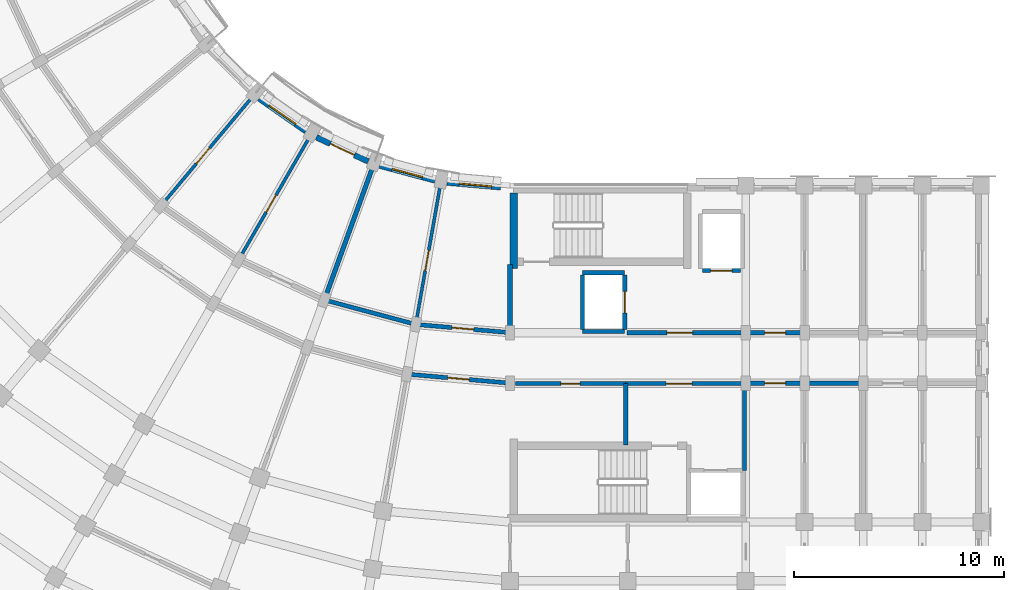
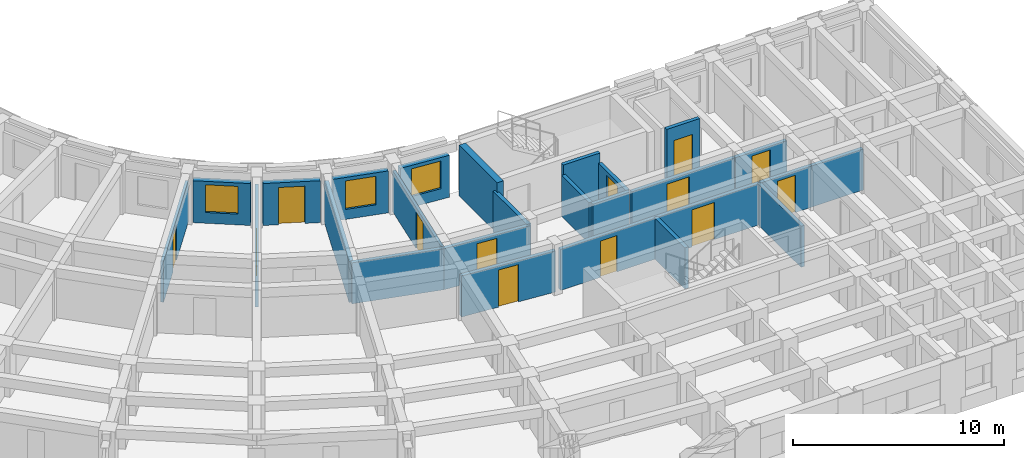
# One storey, part 17 of 54: 26 walls, 13 doors, 3 windows, 16 openings.
"""IFC4 building model written with IfcOpenShell, lengths in metres."""

import ifcopenshell
import ifcopenshell.guid

model = None  # the IFC model being written
_history = None  # IfcOwnerHistory: only IFC2X3 demands one
_inside = {}  # id of a spatial element -> (the spatial element, [elements in it])
_under = {}  # id of a project, library or spatial element -> (it, [spatial elements below it])
_declared = {}  # id of a project -> (the project, [libraries it declares])
_typed = {}  # id of a type object -> (the type object, [elements of that type])
_made_of = {}  # id of a material, layer set ... -> (it, [elements and type objects made of it])


def new_model(schema):
    """Start an empty IFC model of exactly this schema.

    Asked for "IFC4X3", IfcOpenShell would pick the latest addendum, in which some entities
    have other attributes; the version numbers below select the first issue.
    IFC2X3 requires an IfcOwnerHistory on every rooted entity: one is made here for all.
    """
    global model, _history
    if schema == "IFC4X3":
        model = ifcopenshell.file(schema_version=(4, 3, 0, 0))
    else:
        model = ifcopenshell.file(schema=schema)
    _inside.clear()
    _under.clear()
    _declared.clear()
    _typed.clear()
    _made_of.clear()
    _history = None
    if model.schema == "IFC2X3":
        org = make("IfcOrganization", Name="unknown")
        user = make(
            "IfcPersonAndOrganization",
            ThePerson=make("IfcPerson", FamilyName="unknown"),
            TheOrganization=org,
        )
        app = make(
            "IfcApplication",
            ApplicationDeveloper=org,
            Version="unknown",
            ApplicationFullName="unknown",
            ApplicationIdentifier="unknown",
        )
        _history = make(
            "IfcOwnerHistory",
            OwningUser=user,
            OwningApplication=app,
            ChangeAction="ADDED",
            CreationDate=0,
        )
    return model


def make(cls, **values):
    """One entity of the class cls with the attributes given. An attribute that is None is left unset."""
    return model.create_entity(
        cls, **{name: value for name, value in values.items() if value is not None}
    )


def rooted(cls, **values):
    """An entity with a GlobalId (a new one), such as an element, a storey or a relation."""
    return make(cls, GlobalId=ifcopenshell.guid.new(), OwnerHistory=_history, **values)


def si_unit(unit_type, name, prefix=None):
    """IfcSIUnit, for example si_unit("LENGTHUNIT", "METRE", prefix="MILLI")."""
    return make("IfcSIUnit", UnitType=unit_type, Prefix=prefix, Name=name)


def assignment(units):
    """IfcUnitAssignment: the units of a project."""
    return None if units is None else make("IfcUnitAssignment", Units=units)


def point(xyz):
    """IfcCartesianPoint."""
    return None if xyz is None else make("IfcCartesianPoint", Coordinates=xyz)


def direction(xyz):
    """IfcDirection."""
    return None if xyz is None else make("IfcDirection", DirectionRatios=xyz)


def frame(location, z_axis=None, x_axis=None):
    """IfcAxis2Placement3D, a coordinate frame: its origin and axes. An axis left out is left unset."""
    return make(
        "IfcAxis2Placement3D",
        Location=point(location),
        Axis=direction(z_axis),
        RefDirection=direction(x_axis),
    )


def frame_2d(location, x_axis=None):
    """IfcAxis2Placement2D, a coordinate frame in the plane: its origin and x axis."""
    return make(
        "IfcAxis2Placement2D", Location=point(location), RefDirection=direction(x_axis)
    )


def origin():
    """The frame at (0, 0, 0) with its axes left unset."""
    return frame((0.0, 0.0, 0.0))


def place(relative_to, where):
    """IfcLocalPlacement: puts the frame where relative to a parent placement (None: the world)."""
    return make(
        "IfcLocalPlacement", PlacementRelTo=relative_to, RelativePlacement=where
    )


def context(
    kind, dimensions, precision=None, world=None, true_north=None, identifier=None
):
    """IfcGeometricRepresentationContext, for example the 3D "Model" context."""
    return make(
        "IfcGeometricRepresentationContext",
        ContextIdentifier=identifier,
        ContextType=kind,
        CoordinateSpaceDimension=dimensions,
        Precision=precision,
        WorldCoordinateSystem=world,
        TrueNorth=true_north,
    )


def subcontext(parent, identifier, kind, view, scale=None):
    """IfcGeometricRepresentationSubContext, for example "Body" below "Model"."""
    return make(
        "IfcGeometricRepresentationSubContext",
        ContextIdentifier=identifier,
        ContextType=kind,
        ParentContext=parent,
        TargetScale=scale,
        TargetView=view,
    )


def project(units=None, contexts=None):
    """IfcProject with its units and contexts."""
    return rooted(
        "IfcProject",
        Name="project",
        RepresentationContexts=contexts,
        UnitsInContext=assignment(units),
    )


def spatial(cls, under=None, at=None, **own):
    """A site, building, storey or space (cls), placed at a placement, below another one or the project."""
    s = rooted(cls, ObjectPlacement=at, **own)
    if under is not None:
        _under.setdefault(under.id(), (under, []))[1].append(s)
    return s


def profile(cls, at=None, kind="AREA", **sizes):
    """A parametric profile (cls). Its sizes go by their IFC names, for example OverallWidth=200.0."""
    return make(cls, ProfileType=kind, Position=at, **sizes)


def rectangle(**sizes):
    """IfcRectangleProfileDef."""
    return profile("IfcRectangleProfileDef", **sizes)


def extrude(swept, where, along, depth):
    """IfcExtrudedAreaSolid: the profile swept, set in the frame where, extruded along a direction by depth."""
    return make(
        "IfcExtrudedAreaSolid",
        SweptArea=swept,
        Position=where,
        ExtrudedDirection=direction(along),
        Depth=depth,
    )


def shape(context_of_items, identifier, shape_type, items):
    """IfcShapeRepresentation: the items that make up one representation, for example the "Body"."""
    return make(
        "IfcShapeRepresentation",
        ContextOfItems=context_of_items,
        RepresentationIdentifier=identifier,
        RepresentationType=shape_type,
        Items=items,
    )


def material(Name=None, Category=None):
    """IfcMaterial."""
    return make("IfcMaterial", Name=Name, Category=Category)


def layer(
    of_material, thickness, ventilated=None, Name=None, Category=None, Priority=None
):
    """IfcMaterialLayer: one layer of a wall or slab, of a material (None: an air gap)."""
    return make(
        "IfcMaterialLayer",
        Material=of_material,
        LayerThickness=thickness,
        IsVentilated=ventilated,
        Name=Name,
        Category=Category,
        Priority=Priority,
    )


def layer_set(layers, Name=None):
    """IfcMaterialLayerSet."""
    return make("IfcMaterialLayerSet", MaterialLayers=layers, LayerSetName=Name)


def made_of(thing, what):
    """Note that an element or type object is made of a material, layer set ...; save() writes the relation."""
    if what is not None:
        _made_of.setdefault(what.id(), (what, []))[1].append(thing)
    return thing


def type_object(cls, material=None, **own):
    """A type object (cls), such as IfcWallType, which elements share."""
    return made_of(rooted(cls, **own), material)


def element(
    cls,
    number,
    at=None,
    inside=None,
    cuts=None,
    type_object=None,
    material=None,
    context=None,
    identifier="Body",
    shape_type=None,
    held_by="IfcProductDefinitionShape",
    body=None,
    shapes=None,
    **own,
):
    """One element of the class cls, such as IfcWall. Its Tag is "e" and its number.

    at: its placement. inside: the storey or other place that contains it. cuts: it is an
    opening in that element (IfcRelVoidsElement). A single representation is given by context,
    identifier, shape_type and body (its items); several are given by shapes. held_by: the class
    of the entity that holds the representations. save() writes the other relations.
    """
    e = rooted(cls, Tag="e%d" % number, ObjectPlacement=at, **own)
    if body is not None:
        shapes = [shape(context, identifier, shape_type, body)]
    if shapes is not None:
        e.Representation = make(held_by, Representations=shapes)
    if inside is not None:
        _inside.setdefault(inside.id(), (inside, []))[1].append(e)
    if cuts is not None:
        rooted(
            "IfcRelVoidsElement", RelatingBuildingElement=cuts, RelatedOpeningElement=e
        )
    if type_object is not None:
        _typed.setdefault(type_object.id(), (type_object, []))[1].append(e)
    return made_of(e, material)


def fill(opening, filler):
    """IfcRelFillsElement: the door or window that sits in an opening."""
    return rooted(
        "IfcRelFillsElement",
        RelatingOpeningElement=opening,
        RelatedBuildingElement=filler,
    )


def aggregate(whole, parts):
    """IfcRelAggregates: a whole, such as a stair, and the parts it consists of."""
    return rooted("IfcRelAggregates", RelatingObject=whole, RelatedObjects=parts)


def save(model, path):
    """Write the relations noted so far, then the file.

    IfcRelAggregates (storeys below a building ...), IfcRelContainedInSpatialStructure (elements
    in a storey), IfcRelDefinesByType, IfcRelAssociatesMaterial and IfcRelDeclares: one each for
    every whole, place, type object, material and project.
    """
    for whole, parts in _under.values():
        aggregate(whole, parts)
    for where, things in _inside.values():
        rooted(
            "IfcRelContainedInSpatialStructure",
            RelatedElements=things,
            RelatingStructure=where,
        )
    for kind, things in _typed.values():
        rooted("IfcRelDefinesByType", RelatedObjects=things, RelatingType=kind)
    for what, things in _made_of.values():
        rooted("IfcRelAssociatesMaterial", RelatedObjects=things, RelatingMaterial=what)
    for by, libraries in _declared.values():
        rooted("IfcRelDeclares", RelatingContext=by, RelatedDefinitions=libraries)
    model.write(path)


model = new_model("IFC4")

# Units and contexts
model_context = context("Model", 3, precision=1e-05, world=origin(), true_north=direction((0.0, 1.0)))
body_context = subcontext(model_context, "Body", "Model", "MODEL_VIEW")
ifc_project = project(units=[si_unit("LENGTHUNIT", "METRE"), si_unit("AREAUNIT", "SQUARE_METRE"), si_unit("VOLUMEUNIT", "CUBIC_METRE"), si_unit("PLANEANGLEUNIT", "RADIAN"), si_unit("MASSUNIT", "GRAM", prefix="KILO")], contexts=[model_context])

# Site, building, storey
site_placement = place(None, origin())
site = spatial("IfcSite", under=ifc_project, at=site_placement, CompositionType="ELEMENT")
building_placement = place(site_placement, origin())
building = spatial("IfcBuilding", under=site, at=building_placement, Name="Kiranvali Square Residences", CompositionType="ELEMENT")
storey_placement = place(building_placement, frame((0.0, 0.0, 11.85009765625)))
storey = spatial("IfcBuildingStorey", under=building, at=storey_placement, Name="L03", CompositionType="ELEMENT", Elevation=11.85009765625)

# Wall, opening, door
ifc_material_1 = material(Name="Autoclaved aerated concrete blockwork masonry", Category="masonry")
ifc_layer_1 = layer(ifc_material_1, 0.199951171875)
ifc_layer_set_1 = layer_set([ifc_layer_1], Name="Autoclaved aerated concrete blockwork masonry")
wall_type_1 = type_object("IfcWallType", Name="WL-COR-200", PredefinedType="STANDARD", material=ifc_layer_set_1)
wall_1_placement = place(storey_placement, frame((53.75, 22.39990234375, 0.0), z_axis=(0.0, 0.0, 1.0), x_axis=(1.0, 0.0, 0.0)))
wall_1 = element("IfcWall", 1, at=wall_1_placement, inside=storey, type_object=wall_type_1, Name="L03 architectural wall WL-L03-C-LL-COR", PredefinedType="STANDARD", context=body_context, shape_type="SweptSolid", body=[
    extrude(rectangle(XDim=5.60009765625, YDim=0.199951171875, at=frame_2d((2.800048828125, 0.0))), origin(), (0.0, 0.0, 1.0), 2.371826171875),
])
opening_1_placement = place(wall_1_placement, frame((1.909912109375, 0.0, 0.0)))
opening_1 = element("IfcOpeningElement", 2, at=opening_1_placement, cuts=wall_1, Name="Opening FD-COR-60", PredefinedType="OPENING", context=body_context, shape_type="SweptSolid", body=[
    extrude(rectangle(XDim=1.219970703125, YDim=2.14990234375, at=frame_2d((0.60986328125, 1.074951171875))), frame((0.0, 0.10986328125, 0.0), z_axis=(0.0, -1.0, 0.0), x_axis=(1.0, 0.0, 0.0)), (0.0, 0.0, 1.0), 0.219970703125),
])
ifc_material_2 = material(Name="Fire-rated acoustic hardwood and mineral-core door assembly", Category="wood")
door_type_1 = type_object("IfcDoorType", Name="DR-FD60-1200", OperationType="NOTDEFINED", PredefinedType="DOOR", material=ifc_material_2)
door_1_placement = place(opening_1_placement, origin())
door_1 = element("IfcDoor", 3, at=door_1_placement, inside=storey, type_object=door_type_1, Name="L03 door DR-L03-1913 (DR-FD60-1200)", OperationType="SINGLE_SWING_LEFT", OverallHeight=2.14990234375, OverallWidth=1.219970703125, PredefinedType="DOOR", context=body_context, shape_type="SweptSolid", body=[
    extrude(rectangle(XDim=1.219970703125, YDim=2.14990234375, at=frame_2d((0.60986328125, 1.074951171875))), frame((0.0, 0.02490234375, 0.0), z_axis=(0.0, -1.0, 0.0), x_axis=(1.0, 0.0, 0.0)), (0.0, 0.0, 1.0), 0.050048828125),
])
fill(opening_1, door_1)

wall_2_placement = place(storey_placement, frame((59.39990234375, 22.39990234375, 0.0), z_axis=(0.0, 0.0, 1.0), x_axis=(1.0, 0.0, 0.0)))
wall_2 = element("IfcWall", 4, at=wall_2_placement, inside=storey, type_object=wall_type_1, Name="L03 architectural wall WL-L03-C-A1CI-0", PredefinedType="STANDARD", context=body_context, shape_type="SweptSolid", body=[
    extrude(rectangle(XDim=2.800048828125, YDim=0.199951171875, at=frame_2d((1.39990234375, 0.0))), origin(), (0.0, 0.0, 1.0), 2.371826171875),
])
opening_2_placement = place(wall_2_placement, frame((0.89990234375, 0.0, 0.0)))
opening_2 = element("IfcOpeningElement", 5, at=opening_2_placement, cuts=wall_2, Name="Opening FD-APT-60", PredefinedType="OPENING", context=body_context, shape_type="SweptSolid", body=[
    extrude(rectangle(XDim=1.0, YDim=2.14990234375, at=frame_2d((0.5, 1.074951171875))), frame((0.0, 0.10986328125, 0.0), z_axis=(0.0, -1.0, 0.0), x_axis=(1.0, 0.0, 0.0)), (0.0, 0.0, 1.0), 0.219970703125),
])
door_type_2 = type_object("IfcDoorType", Name="DR-APT-1000", OperationType="NOTDEFINED", PredefinedType="DOOR", material=ifc_material_2)
door_2_placement = place(opening_2_placement, origin())
door_2 = element("IfcDoor", 6, at=door_2_placement, inside=storey, type_object=door_type_2, Name="L03 door DR-L03-1917 (DR-APT-1000)", OperationType="SINGLE_SWING_LEFT", OverallHeight=2.14990234375, OverallWidth=1.0, PredefinedType="DOOR", context=body_context, shape_type="SweptSolid", body=[
    extrude(rectangle(XDim=1.0, YDim=2.14990234375, at=frame_2d((0.5, 1.074951171875))), frame((0.0, 0.02490234375, 0.0), z_axis=(0.0, -1.0, 0.0), x_axis=(1.0, 0.0, 0.0)), (0.0, 0.0, 1.0), 0.050048828125),
])
fill(opening_2, door_2)

wall_3_placement = place(storey_placement, frame((59.39990234375, 20.0, 0.0), z_axis=(0.0, 0.0, 1.0), x_axis=(1.0, 0.0, 0.0)))
wall_3 = element("IfcWall", 7, at=wall_3_placement, inside=storey, type_object=wall_type_1, Name="L03 architectural wall WL-L03-C-A1CO-0", PredefinedType="STANDARD", context=body_context, shape_type="SweptSolid", body=[
    extrude(rectangle(XDim=2.800048828125, YDim=0.199951171875, at=frame_2d((1.39990234375, 0.0))), origin(), (0.0, 0.0, 1.0), 2.371826171875),
])
opening_3_placement = place(wall_3_placement, frame((0.89990234375, 0.0, 0.0)))
opening_3 = element("IfcOpeningElement", 8, at=opening_3_placement, cuts=wall_3, Name="Opening FD-APT-60", PredefinedType="OPENING", context=body_context, shape_type="SweptSolid", body=[
    extrude(rectangle(XDim=1.0, YDim=2.14990234375, at=frame_2d((0.5, 1.074951171875))), frame((0.0, 0.10986328125, 0.0), z_axis=(0.0, -1.0, 0.0), x_axis=(1.0, 0.0, 0.0)), (0.0, 0.0, 1.0), 0.219970703125),
])
door_3_placement = place(opening_3_placement, origin())
door_3 = element("IfcDoor", 9, at=door_3_placement, inside=storey, type_object=door_type_2, Name="L03 door DR-L03-1919 (DR-APT-1000)", OperationType="SINGLE_SWING_LEFT", OverallHeight=2.14990234375, OverallWidth=1.0, PredefinedType="DOOR", context=body_context, shape_type="SweptSolid", body=[
    extrude(rectangle(XDim=1.0, YDim=2.14990234375, at=frame_2d((0.5, 1.074951171875))), frame((0.0, 0.02490234375, 0.0), z_axis=(0.0, -1.0, 0.0), x_axis=(1.0, 0.0, 0.0)), (0.0, 0.0, 1.0), 0.050048828125),
])
fill(opening_3, door_3)

# Wall
wall_4_placement = place(storey_placement, frame((62.199951171875, 20.0, 0.0), z_axis=(0.0, 0.0, 1.0), x_axis=(1.0, 0.0, 0.0)))
element("IfcWall", 10, at=wall_4_placement, inside=storey, type_object=wall_type_1, Name="L03 architectural wall WL-L03-C-A1CO-1", PredefinedType="STANDARD", context=body_context, shape_type="SweptSolid", body=[
    extrude(rectangle(XDim=2.800048828125, YDim=0.199951171875, at=frame_2d((1.39990234375, 0.0))), origin(), (0.0, 0.0, 1.0), 2.371826171875),
])

# Wall, opening, door
wall_5_placement = place(storey_placement, frame((48.199951171875, 22.39990234375, 0.0), z_axis=(0.0, 0.0, 1.0), x_axis=(-0.996191949488, 0.087187153726, 0.0)))
wall_5 = element("IfcWall", 11, at=wall_5_placement, inside=storey, type_object=wall_type_1, Name="L03 architectural wall WL-L03-C-CCI-0", PredefinedType="STANDARD", context=body_context, shape_type="SweptSolid", body=[
    extrude(rectangle(XDim=4.4970703125, YDim=0.199951171875, at=frame_2d((2.24853515625, 0.0))), origin(), (0.0, 0.0, 1.0), 2.371826171875),
])
opening_4_placement = place(wall_5_placement, frame((1.728515625, 0.0, 0.0)))
opening_4 = element("IfcOpeningElement", 12, at=opening_4_placement, cuts=wall_5, Name="Opening FD-APT-60B", PredefinedType="OPENING", context=body_context, shape_type="SweptSolid", body=[
    extrude(rectangle(XDim=1.0400390625, YDim=2.14990234375, at=frame_2d((0.52001953125, 1.074951171875))), frame((0.0, 0.10986328125, 0.0), z_axis=(0.0, -1.0, 0.0), x_axis=(1.0, 0.0, 0.0)), (0.0, 0.0, 1.0), 0.219970703125),
])
door_type_3 = type_object("IfcDoorType", Name="DR-APT-1040", OperationType="NOTDEFINED", PredefinedType="DOOR", material=ifc_material_2)
door_4_placement = place(opening_4_placement, frame((1.0400390625, 0.0, 0.0), z_axis=(0.0, 0.0, 1.0), x_axis=(-1.0, 0.0, 0.0)))
door_4 = element("IfcDoor", 13, at=door_4_placement, inside=storey, type_object=door_type_3, Name="L03 door DR-L03-1952 (DR-APT-1040)", OperationType="SINGLE_SWING_RIGHT", OverallHeight=2.14990234375, OverallWidth=1.0400390625, PredefinedType="DOOR", context=body_context, shape_type="SweptSolid", body=[
    extrude(rectangle(XDim=1.0400390625, YDim=2.14990234375, at=frame_2d((0.52001953125, 1.074951171875))), frame((0.0, 0.02490234375, 0.0), z_axis=(0.0, -1.0, 0.0), x_axis=(1.0, 0.0, 0.0)), (0.0, 0.0, 1.0), 0.050048828125),
])
fill(opening_4, door_4)

wall_6_placement = place(storey_placement, frame((48.199951171875, 20.0, 0.0), z_axis=(0.0, 0.0, 1.0), x_axis=(-0.996193663584, 0.087167566415, 0.0)))
wall_6 = element("IfcWall", 14, at=wall_6_placement, inside=storey, type_object=wall_type_1, Name="L03 architectural wall WL-L03-C-CCO-0", PredefinedType="STANDARD", context=body_context, shape_type="SweptSolid", body=[
    extrude(rectangle(XDim=4.91552734375, YDim=0.199951171875, at=frame_2d((2.457763671875, 0.0))), origin(), (0.0, 0.0, 1.0), 2.371826171875),
])
opening_5_placement = place(wall_6_placement, frame((1.937744140625, 0.0, 0.0)))
opening_5 = element("IfcOpeningElement", 15, at=opening_5_placement, cuts=wall_6, Name="Opening FD-APT-60B", PredefinedType="OPENING", context=body_context, shape_type="SweptSolid", body=[
    extrude(rectangle(XDim=1.0400390625, YDim=2.14990234375, at=frame_2d((0.52001953125, 1.074951171875))), frame((0.0, 0.10986328125, 0.0), z_axis=(0.0, -1.0, 0.0), x_axis=(1.0, 0.0, 0.0)), (0.0, 0.0, 1.0), 0.219970703125),
])
door_5_placement = place(opening_5_placement, origin())
door_5 = element("IfcDoor", 16, at=door_5_placement, inside=storey, type_object=door_type_3, Name="L03 door DR-L03-1943 (DR-APT-1040)", OperationType="SINGLE_SWING_LEFT", OverallHeight=2.14990234375, OverallWidth=1.0400390625, PredefinedType="DOOR", context=body_context, shape_type="SweptSolid", body=[
    extrude(rectangle(XDim=1.0400390625, YDim=2.14990234375, at=frame_2d((0.52001953125, 1.074951171875))), frame((0.0, 0.02490234375, 0.0), z_axis=(0.0, -1.0, 0.0), x_axis=(1.0, 0.0, 0.0)), (0.0, 0.0, 1.0), 0.050048828125),
])
fill(opening_5, door_5)

# Walls
wall_7_placement = place(storey_placement, frame((43.719970703125, 22.7919921875, 0.0), z_axis=(0.0, 0.0, 1.0), x_axis=(-0.965934240054, 0.258787642463, 0.0)))
element("IfcWall", 17, at=wall_7_placement, inside=storey, type_object=wall_type_1, Name="L03 architectural wall WL-L03-C-CCI-1", PredefinedType="STANDARD", context=body_context, shape_type="SweptSolid", body=[
    extrude(rectangle(XDim=4.497314453125, YDim=0.199951171875, at=frame_2d((2.24853515625, 0.0))), origin(), (0.0, 0.0, 1.0), 2.371826171875),
])
ifc_layer_2 = layer(ifc_material_1, 0.219970703125)
ifc_layer_set_2 = layer_set([ifc_layer_2], Name="Autoclaved aerated concrete blockwork masonry")
wall_type_2 = type_object("IfcWallType", Name="WL-DEM-220", PredefinedType="STANDARD", material=ifc_layer_set_2)
wall_8_placement = place(storey_placement, frame((48.199951171875, 25.64990234375, 0.0), z_axis=(0.0, 0.0, 1.0), x_axis=(0.0, -1.0, 0.0)))
element("IfcWall", 18, at=wall_8_placement, inside=storey, type_object=wall_type_2, Name="L03 architectural wall WL-L03-C-RADI-0", PredefinedType="STANDARD", context=body_context, shape_type="SweptSolid", body=[
    extrude(rectangle(XDim=3.199951171875, YDim=0.219970703125, at=frame_2d((1.60009765625, 0.0))), origin(), (0.0, 0.0, 1.0), 2.371826171875),
])
wall_9_placement = place(storey_placement, frame((41.70166015625, 30.345947265625, 0.0), z_axis=(0.0, 0.0, 1.0), x_axis=(-0.342010221662, -0.939696231917, 0.0)))
element("IfcWall", 19, at=wall_9_placement, inside=storey, type_object=wall_type_2, Name="L03 architectural wall WL-L03-C-RADI-2", PredefinedType="STANDARD", context=body_context, shape_type="SweptSolid", body=[
    extrude(rectangle(XDim=6.75, YDim=0.219970703125, at=frame_2d((3.375, 0.0))), origin(), (0.0, 0.0, 1.0), 2.371826171875),
])

# Wall, opening, window
ifc_material_3 = material(Name="Breathable lime-rendered clay brick masonry", Category="masonry")
ifc_layer_3 = layer(ifc_material_3, 0.27490234375)
ifc_layer_set_3 = layer_set([ifc_layer_3], Name="Breathable lime-rendered clay brick masonry")
wall_type_3 = type_object("IfcWallType", Name="WL-EXT-275", PredefinedType="STANDARD", material=ifc_layer_set_3)
wall_10_placement = place(storey_placement, frame((47.750732421875, 29.313720703125, 0.0), z_axis=(0.0, 0.0, 1.0), x_axis=(-0.996194235595, 0.08716102895, 0.0)))
wall_10 = element("IfcWall", 20, at=wall_10_placement, inside=storey, type_object=wall_type_3, Name="L03 exterior wall C-L03-GDN-00", PredefinedType="STANDARD", context=body_context, shape_type="SweptSolid", body=[
    extrude(rectangle(XDim=2.557373046875, YDim=0.27490234375, at=frame_2d((1.27880859375, 0.0))), origin(), (0.0, 0.0, 1.0), 2.421875),
])
opening_6_placement = place(wall_10_placement, frame((0.423583984375, 0.0, 0.6220703125)))
opening_6 = element("IfcOpeningElement", 21, at=opening_6_placement, cuts=wall_10, Name="Opening W-18", PredefinedType="OPENING", context=body_context, shape_type="SweptSolid", body=[
    extrude(rectangle(XDim=1.550048828125, YDim=1.60009765625, at=frame_2d((0.77490234375, 0.800048828125))), frame((0.0, 0.1474609375, 0.0), z_axis=(0.0, -1.0, 0.0), x_axis=(1.0, 0.0, 0.0)), (0.0, 0.0, 1.0), 0.294921875),
])
ifc_material_4 = material(Name="Solar-control low-e double glazing", Category="glass")
window_type_1 = type_object("IfcWindowType", Name="WIN-GDN-1550x1600", PartitioningType="DOUBLE_PANEL_VERTICAL", PredefinedType="WINDOW", material=ifc_material_4)
window_1_placement = place(opening_6_placement, origin())
window_1 = element("IfcWindow", 22, at=window_1_placement, inside=storey, type_object=window_type_1, Name="L03 recessed window C-L03-GDN-00", OverallHeight=1.60009765625, OverallWidth=1.550048828125, PartitioningType="DOUBLE_PANEL_VERTICAL", PredefinedType="WINDOW", context=body_context, shape_type="SweptSolid", body=[
    extrude(rectangle(XDim=1.550048828125, YDim=1.60009765625, at=frame_2d((0.77490234375, 0.800048828125))), frame((0.0, 0.030029296875, 0.0), z_axis=(0.0, -1.0, 0.0), x_axis=(1.0, 0.0, 0.0)), (0.0, 0.0, 1.0), 0.06005859375),
])
fill(opening_6, window_1)

wall_11_placement = place(storey_placement, frame((44.6328125, 29.63720703125, 0.0), z_axis=(0.0, 0.0, 1.0), x_axis=(-0.965925595341, 0.258819907011, 0.0)))
wall_11 = element("IfcWall", 23, at=wall_11_placement, inside=storey, type_object=wall_type_3, Name="L03 exterior wall C-L03-GDN-01", PredefinedType="STANDARD", context=body_context, shape_type="SweptSolid", body=[
    extrude(rectangle(XDim=2.717529296875, YDim=0.27490234375, at=frame_2d((1.35888671875, 0.0))), origin(), (0.0, 0.0, 1.0), 2.421875),
])
opening_7_placement = place(wall_11_placement, frame((0.608642578125, 0.0, 0.572021484375)))
opening_7 = element("IfcOpeningElement", 24, at=opening_7_placement, cuts=wall_11, Name="Opening W-05", PredefinedType="OPENING", context=body_context, shape_type="SweptSolid", body=[
    extrude(rectangle(XDim=1.5, YDim=1.64990234375, at=frame_2d((0.75, 0.824951171875))), frame((0.0, 0.1474609375, 0.0), z_axis=(0.0, -1.0, 0.0), x_axis=(1.0, 0.0, 0.0)), (0.0, 0.0, 1.0), 0.294921875),
])
window_type_2 = type_object("IfcWindowType", Name="WIN-RES-1500x1650", PartitioningType="DOUBLE_PANEL_VERTICAL", PredefinedType="WINDOW", material=ifc_material_4)
window_2_placement = place(opening_7_placement, origin())
window_2 = element("IfcWindow", 25, at=window_2_placement, inside=storey, type_object=window_type_2, Name="L03 recessed window C-L03-GDN-01", OverallHeight=1.64990234375, OverallWidth=1.5, PartitioningType="DOUBLE_PANEL_VERTICAL", PredefinedType="WINDOW", context=body_context, shape_type="SweptSolid", body=[
    extrude(rectangle(XDim=1.5, YDim=1.64990234375, at=frame_2d((0.75, 0.824951171875))), frame((0.0, 0.030029296875, 0.0), z_axis=(0.0, -1.0, 0.0), x_axis=(1.0, 0.0, 0.0)), (0.0, 0.0, 1.0), 0.06005859375),
])
fill(opening_7, window_2)

# Wall, opening, door
wall_12_placement = place(storey_placement, frame((41.463623046875, 30.538818359375, 0.0), z_axis=(0.0, 0.0, 1.0), x_axis=(-0.906311629168, 0.422610022166, 0.0)))
wall_12 = element("IfcWall", 26, at=wall_12_placement, inside=storey, type_object=wall_type_3, Name="L03 exterior wall C-L03-GDN-02", PredefinedType="STANDARD", context=body_context, shape_type="SweptSolid", body=[
    extrude(rectangle(XDim=2.717529296875, YDim=0.27490234375, at=frame_2d((1.35888671875, 0.0))), origin(), (0.0, 0.0, 1.0), 2.421875),
])
opening_8_placement = place(wall_12_placement, frame((0.728759765625, 0.0, 0.0)))
opening_8 = element("IfcOpeningElement", 27, at=opening_8_placement, cuts=wall_12, Name="Opening ED-BAL-2", PredefinedType="OPENING", context=body_context, shape_type="SweptSolid", body=[
    extrude(rectangle(XDim=1.260009765625, YDim=2.14990234375, at=frame_2d((0.6298828125, 1.074951171875))), frame((0.0, 0.1474609375, 0.0), z_axis=(0.0, -1.0, 0.0), x_axis=(1.0, 0.0, 0.0)), (0.0, 0.0, 1.0), 0.294921875),
])
ifc_material_5 = material(Name="Anodised bronze aluminium framing", Category="aluminium")
door_type_4 = type_object("IfcDoorType", Name="DR-BAL-1260", OperationType="NOTDEFINED", PredefinedType="DOOR", material=ifc_material_5)
door_6_placement = place(opening_8_placement, frame((1.260009765625, 0.0, 0.0), z_axis=(0.0, 0.0, 1.0), x_axis=(-1.0, 0.0, 0.0)))
door_6 = element("IfcDoor", 28, at=door_6_placement, inside=storey, type_object=door_type_4, Name="L03 balcony terrace door", OperationType="SINGLE_SWING_RIGHT", OverallHeight=2.14990234375, OverallWidth=1.260009765625, PredefinedType="DOOR", context=body_context, shape_type="SweptSolid", body=[
    extrude(rectangle(XDim=1.260009765625, YDim=2.14990234375, at=frame_2d((0.6298828125, 1.074951171875))), frame((0.0, 0.02490234375, 0.0), z_axis=(0.0, -1.0, 0.0), x_axis=(1.0, 0.0, 0.0)), (0.0, 0.0, 1.0), 0.050048828125),
])
fill(opening_8, door_6)

# Wall, opening, window
wall_13_placement = place(storey_placement, frame((38.4990234375, 31.976806640625, 0.0), z_axis=(0.0, 0.0, 1.0), x_axis=(-0.81917282593, 0.573546755948, 0.0)))
wall_13 = element("IfcWall", 29, at=wall_13_placement, inside=storey, type_object=wall_type_3, Name="L03 exterior wall C-L03-GDN-03", PredefinedType="STANDARD", context=body_context, shape_type="SweptSolid", body=[
    extrude(rectangle(XDim=2.717529296875, YDim=0.27490234375, at=frame_2d((1.35888671875, 0.0))), origin(), (0.0, 0.0, 1.0), 2.421875),
])
opening_9_placement = place(wall_13_placement, frame((0.583740234375, 0.0, 0.6220703125)))
opening_9 = element("IfcOpeningElement", 30, at=opening_9_placement, cuts=wall_13, Name="Opening W-18", PredefinedType="OPENING", context=body_context, shape_type="SweptSolid", body=[
    extrude(rectangle(XDim=1.550048828125, YDim=1.60009765625, at=frame_2d((0.77490234375, 0.800048828125))), frame((0.0, 0.1474609375, 0.0), z_axis=(0.0, -1.0, 0.0), x_axis=(1.0, 0.0, 0.0)), (0.0, 0.0, 1.0), 0.294921875),
])
window_3_placement = place(opening_9_placement, origin())
window_3 = element("IfcWindow", 31, at=window_3_placement, inside=storey, type_object=window_type_1, Name="L03 recessed window C-L03-GDN-03", OverallHeight=1.60009765625, OverallWidth=1.550048828125, PartitioningType="DOUBLE_PANEL_VERTICAL", PredefinedType="WINDOW", context=body_context, shape_type="SweptSolid", body=[
    extrude(rectangle(XDim=1.550048828125, YDim=1.60009765625, at=frame_2d((0.77490234375, 0.800048828125))), frame((0.0, 0.030029296875, 0.0), z_axis=(0.0, -1.0, 0.0), x_axis=(1.0, 0.0, 0.0)), (0.0, 0.0, 1.0), 0.06005859375),
])
fill(opening_9, window_3)

# Wall, opening, door
ifc_layer_4 = layer(ifc_material_1, 0.199951171875)
ifc_layer_set_4 = layer_set([ifc_layer_4], Name="Autoclaved aerated concrete blockwork masonry")
wall_type_4 = type_object("IfcWallType", Name="WL-FFL-200", PredefinedType="STANDARD", material=ifc_layer_set_4)
wall_14_placement = place(storey_placement, frame((53.699951171875, 19.97998046875, 0.0), z_axis=(0.0, 0.0, 1.0), x_axis=(1.0, 0.0, 0.0)))
wall_14 = element("IfcWall", 32, at=wall_14_placement, inside=storey, type_object=wall_type_4, Name="L03 architectural wall WL-L03-C-FF-COR", PredefinedType="STANDARD", context=body_context, shape_type="SweptSolid", body=[
    extrude(rectangle(XDim=5.650146484375, YDim=0.199951171875, at=frame_2d((2.8251953125, 0.0))), origin(), (0.0, 0.0, 1.0), 2.371826171875),
])
opening_10_placement = place(wall_14_placement, frame((1.922607421875, 0.0, 0.0)))
opening_10 = element("IfcOpeningElement", 33, at=opening_10_placement, cuts=wall_14, Name="Opening FD-ST-120", PredefinedType="OPENING", context=body_context, shape_type="SweptSolid", body=[
    extrude(rectangle(XDim=1.239990234375, YDim=2.14990234375, at=frame_2d((0.6201171875, 1.074951171875))), frame((0.0, 0.10986328125, 0.0), z_axis=(0.0, -1.0, 0.0), x_axis=(1.0, 0.0, 0.0)), (0.0, 0.0, 1.0), 0.219970703125),
])
door_type_5 = type_object("IfcDoorType", Name="DR-FD120-1200", OperationType="NOTDEFINED", PredefinedType="DOOR", material=ifc_material_2)
door_7_placement = place(opening_10_placement, origin())
door_7 = element("IfcDoor", 34, at=door_7_placement, inside=storey, type_object=door_type_5, Name="L03 door DR-L03-1905 (DR-FD120-1200)", OperationType="SINGLE_SWING_LEFT", OverallHeight=2.14990234375, OverallWidth=1.239990234375, PredefinedType="DOOR", context=body_context, shape_type="SweptSolid", body=[
    extrude(rectangle(XDim=1.239990234375, YDim=2.14990234375, at=frame_2d((0.6201171875, 1.074951171875))), frame((0.0, 0.02490234375, 0.0), z_axis=(0.0, -1.0, 0.0), x_axis=(1.0, 0.0, 0.0)), (0.0, 0.0, 1.0), 0.050048828125),
])
fill(opening_10, door_7)

# Walls
wall_15_placement = place(storey_placement, frame((53.699951171875, 19.97998046875, 0.0), z_axis=(0.0, 0.0, 1.0), x_axis=(0.0, -1.0, 0.0)))
element("IfcWall", 35, at=wall_15_placement, inside=storey, type_object=wall_type_4, Name="L03 architectural wall WL-L03-C-FF-DIV", PredefinedType="STANDARD", context=body_context, shape_type="SweptSolid", body=[
    extrude(rectangle(XDim=2.929931640625, YDim=0.199951171875, at=frame_2d((1.46484375, 0.0))), origin(), (0.0, 0.0, 1.0), 2.371826171875),
])
wall_16_placement = place(storey_placement, frame((59.35009765625, 19.97998046875, 0.0), z_axis=(0.0, 0.0, 1.0), x_axis=(0.0, -1.0, 0.0)))
element("IfcWall", 36, at=wall_16_placement, inside=storey, type_object=wall_type_4, Name="L03 architectural wall WL-L03-C-FF-END", PredefinedType="STANDARD", context=body_context, shape_type="SweptSolid", body=[
    extrude(rectangle(XDim=4.1298828125, YDim=0.199951171875, at=frame_2d((2.06494140625, 0.0))), origin(), (0.0, 0.0, 1.0), 2.371826171875),
])

# Wall, opening, door
ifc_material_6 = material(Name="Acoustic gypsum board drylined partition", Category="gypsum")
ifc_layer_5 = layer(ifc_material_6, 0.14990234375)
ifc_layer_set_5 = layer_set([ifc_layer_5], Name="Acoustic gypsum board drylined partition")
wall_type_5 = type_object("IfcWallType", Name="WL-PRT-150", PredefinedType="PARTITIONING", material=ifc_layer_set_5)
wall_17_placement = place(storey_placement, frame((44.900634765625, 29.48876953125, 0.0), z_axis=(0.0, 0.0, 1.0), x_axis=(-0.173647089161, -0.984807944945, 0.0)))
wall_17 = element("IfcWall", 37, at=wall_17_placement, inside=storey, type_object=wall_type_5, Name="L03 architectural wall WL-L03-C-RADI-1", PredefinedType="PARTITIONING", context=body_context, shape_type="SweptSolid", body=[
    extrude(rectangle(XDim=6.75, YDim=0.14990234375, at=frame_2d((3.375, 0.0))), origin(), (0.0, 0.0, 1.0), 2.371826171875),
])
opening_11_placement = place(wall_17_placement, frame((3.222412109375, 0.0, 0.0)))
opening_11 = element("IfcOpeningElement", 38, at=opening_11_placement, cuts=wall_17, Name="Opening ID-3", PredefinedType="OPENING", context=body_context, shape_type="SweptSolid", body=[
    extrude(rectangle(XDim=0.97998046875, YDim=2.1201171875, at=frame_2d((0.489990234375, 1.06005859375))), frame((0.0, 0.0849609375, 0.0), z_axis=(0.0, -1.0, 0.0), x_axis=(1.0, 0.0, 0.0)), (0.0, 0.0, 1.0), 0.169921875),
])
ifc_material_7 = material(Name="Solid seasoned teak hardwood joinery", Category="wood")
door_type_6 = type_object("IfcDoorType", Name="DR-INT-980", OperationType="NOTDEFINED", PredefinedType="DOOR", material=ifc_material_7)
door_8_placement = place(opening_11_placement, origin())
door_8 = element("IfcDoor", 39, at=door_8_placement, inside=storey, type_object=door_type_6, Name="L03 door DR-L03-1933 (DR-INT-980)", OperationType="SINGLE_SWING_LEFT", OverallHeight=2.1201171875, OverallWidth=0.97998046875, PredefinedType="DOOR", context=body_context, shape_type="SweptSolid", body=[
    extrude(rectangle(XDim=0.97998046875, YDim=2.1201171875, at=frame_2d((0.489990234375, 1.06005859375))), frame((0.0, 0.02490234375, 0.0), z_axis=(0.0, -1.0, 0.0), x_axis=(1.0, 0.0, 0.0)), (0.0, 0.0, 1.0), 0.050048828125),
])
fill(opening_11, door_8)

wall_18_placement = place(storey_placement, frame((38.699951171875, 31.74560546875, 0.0), z_axis=(0.0, 0.0, 1.0), x_axis=(-0.499997969693, -0.866026575979, 0.0)))
wall_18 = element("IfcWall", 40, at=wall_18_placement, inside=storey, type_object=wall_type_5, Name="L03 architectural wall WL-L03-C-RADI-3", PredefinedType="PARTITIONING", context=body_context, shape_type="SweptSolid", body=[
    extrude(rectangle(XDim=6.75, YDim=0.14990234375, at=frame_2d((3.375, 0.0))), origin(), (0.0, 0.0, 1.0), 2.371826171875),
])
opening_12_placement = place(wall_18_placement, frame((3.242431640625, 0.0, 0.0)))
opening_12 = element("IfcOpeningElement", 41, at=opening_12_placement, cuts=wall_18, Name="Opening ID-2", PredefinedType="OPENING", context=body_context, shape_type="SweptSolid", body=[
    extrude(rectangle(XDim=0.93994140625, YDim=2.10009765625, at=frame_2d((0.469970703125, 1.050048828125))), frame((0.0, 0.0849609375, 0.0), z_axis=(0.0, -1.0, 0.0), x_axis=(1.0, 0.0, 0.0)), (0.0, 0.0, 1.0), 0.169921875),
])
door_type_7 = type_object("IfcDoorType", Name="DR-INT-940", OperationType="NOTDEFINED", PredefinedType="DOOR", material=ifc_material_7)
door_9_placement = place(opening_12_placement, frame((0.93994140625, 0.0, 0.0), z_axis=(0.0, 0.0, 1.0), x_axis=(-1.0, 0.0, 0.0)))
door_9 = element("IfcDoor", 42, at=door_9_placement, inside=storey, type_object=door_type_7, Name="L03 door DR-L03-1936 (DR-INT-940)", OperationType="SINGLE_SWING_RIGHT", OverallHeight=2.10009765625, OverallWidth=0.93994140625, PredefinedType="DOOR", context=body_context, shape_type="SweptSolid", body=[
    extrude(rectangle(XDim=0.93994140625, YDim=2.10009765625, at=frame_2d((0.469970703125, 1.050048828125))), frame((0.0, 0.02490234375, 0.0), z_axis=(0.0, -1.0, 0.0), x_axis=(1.0, 0.0, 0.0)), (0.0, 0.0, 1.0), 0.050048828125),
])
fill(opening_12, door_9)

wall_19_placement = place(storey_placement, frame((35.987060546875, 33.645263671875, 0.0), z_axis=(0.0, 0.0, 1.0), x_axis=(-0.642784846501, -0.766046761698, 0.0)))
wall_19 = element("IfcWall", 43, at=wall_19_placement, inside=storey, type_object=wall_type_5, Name="L03 architectural wall WL-L03-C-RADI-4", PredefinedType="PARTITIONING", context=body_context, shape_type="SweptSolid", body=[
    extrude(rectangle(XDim=6.75, YDim=0.14990234375, at=frame_2d((3.375, 0.0))), origin(), (0.0, 0.0, 1.0), 2.371826171875),
])
opening_13_placement = place(wall_19_placement, frame((3.222412109375, 0.0, 0.0)))
opening_13 = element("IfcOpeningElement", 44, at=opening_13_placement, cuts=wall_19, Name="Opening ID-3", PredefinedType="OPENING", context=body_context, shape_type="SweptSolid", body=[
    extrude(rectangle(XDim=0.97998046875, YDim=2.1201171875, at=frame_2d((0.489990234375, 1.06005859375))), frame((0.0, 0.0849609375, 0.0), z_axis=(0.0, -1.0, 0.0), x_axis=(1.0, 0.0, 0.0)), (0.0, 0.0, 1.0), 0.169921875),
])
door_10_placement = place(opening_13_placement, origin())
door_10 = element("IfcDoor", 45, at=door_10_placement, inside=storey, type_object=door_type_6, Name="L03 door DR-L03-1937 (DR-INT-980)", OperationType="SINGLE_SWING_LEFT", OverallHeight=2.1201171875, OverallWidth=0.97998046875, PredefinedType="DOOR", context=body_context, shape_type="SweptSolid", body=[
    extrude(rectangle(XDim=0.97998046875, YDim=2.1201171875, at=frame_2d((0.489990234375, 1.06005859375))), frame((0.0, 0.02490234375, 0.0), z_axis=(0.0, -1.0, 0.0), x_axis=(1.0, 0.0, 0.0)), (0.0, 0.0, 1.0), 0.050048828125),
])
fill(opening_13, door_10)

ifc_layer_6 = layer(ifc_material_1, 0.199951171875)
ifc_layer_set_6 = layer_set([ifc_layer_6], Name="Autoclaved aerated concrete blockwork masonry")
wall_type_6 = type_object("IfcWallType", Name="WL-SHF-200", PredefinedType="STANDARD", material=ifc_layer_set_6)
wall_20_placement = place(storey_placement, frame((48.449951171875, 19.97998046875, 0.0), z_axis=(0.0, 0.0, 1.0), x_axis=(1.0, 0.0, 0.0)))
wall_20 = element("IfcWall", 46, at=wall_20_placement, inside=storey, type_object=wall_type_6, Name="L03 architectural wall WL-L03-C-RSR-COR", PredefinedType="STANDARD", context=body_context, shape_type="SweptSolid", body=[
    extrude(rectangle(XDim=5.25, YDim=0.199951171875, at=frame_2d((2.625, 0.0))), origin(), (0.0, 0.0, 1.0), 2.371826171875),
])
opening_14_placement = place(wall_20_placement, frame((2.1650390625, 0.0, 0.0)))
opening_14 = element("IfcOpeningElement", 47, at=opening_14_placement, cuts=wall_20, Name="Opening FD-SVC-120", PredefinedType="OPENING", context=body_context, shape_type="SweptSolid", body=[
    extrude(rectangle(XDim=0.919921875, YDim=2.10009765625, at=frame_2d((0.4599609375, 1.050048828125))), frame((0.0, 0.10986328125, 0.0), z_axis=(0.0, -1.0, 0.0), x_axis=(1.0, 0.0, 0.0)), (0.0, 0.0, 1.0), 0.219970703125),
])
door_type_8 = type_object("IfcDoorType", Name="DR-SVC-900", OperationType="NOTDEFINED", PredefinedType="DOOR", material=ifc_material_2)
door_11_placement = place(opening_14_placement, frame((0.919921875, 0.0, 0.0), z_axis=(0.0, 0.0, 1.0), x_axis=(-1.0, 0.0, 0.0)))
door_11 = element("IfcDoor", 48, at=door_11_placement, inside=storey, type_object=door_type_8, Name="L03 door DR-L03-1906 (DR-SVC-900)", OperationType="SINGLE_SWING_RIGHT", OverallHeight=2.10009765625, OverallWidth=0.919921875, PredefinedType="DOOR", context=body_context, shape_type="SweptSolid", body=[
    extrude(rectangle(XDim=0.919921875, YDim=2.10009765625, at=frame_2d((0.4599609375, 1.050048828125))), frame((0.0, 0.02490234375, 0.0), z_axis=(0.0, -1.0, 0.0), x_axis=(1.0, 0.0, 0.0)), (0.0, 0.0, 1.0), 0.050048828125),
])
fill(opening_14, door_11)

wall_21_placement = place(storey_placement, frame((57.35009765625, 25.35009765625, 0.0), z_axis=(0.0, 0.0, 1.0), x_axis=(1.0, 0.0, 0.0)))
wall_21 = element("IfcWall", 49, at=wall_21_placement, inside=storey, type_object=wall_type_6, Name="L03 architectural wall WL-L03-C-LP1-F", PredefinedType="STANDARD", context=body_context, shape_type="SweptSolid", body=[
    extrude(rectangle(XDim=1.7998046875, YDim=0.199951171875, at=frame_2d((0.89990234375, 0.0))), origin(), (0.0, 0.0, 1.0), 2.929931640625),
])
opening_15_placement = place(wall_21_placement, frame((0.389892578125, 0.0, 0.0)))
opening_15 = element("IfcOpeningElement", 50, at=opening_15_placement, cuts=wall_21, Name="Opening LD-PAX-100", PredefinedType="OPENING", context=body_context, shape_type="SweptSolid", body=[
    extrude(rectangle(XDim=1.02001953125, YDim=2.14990234375, at=frame_2d((0.510009765625, 1.074951171875))), frame((0.0, 0.10986328125, 0.0), z_axis=(0.0, -1.0, 0.0), x_axis=(1.0, 0.0, 0.0)), (0.0, 0.0, 1.0), 0.219970703125),
])
door_type_9 = type_object("IfcDoorType", Name="DR-LIFT-1000", OperationType="SLIDING_TO_RIGHT", PredefinedType="DOOR", material=ifc_material_2)
door_12_placement = place(opening_15_placement, origin())
door_12 = element("IfcDoor", 51, at=door_12_placement, inside=storey, type_object=door_type_9, Name="L03 door DR-L03-1911 (DR-LIFT-1000)", OperationType="SLIDING_TO_RIGHT", OverallHeight=2.14990234375, OverallWidth=1.02001953125, PredefinedType="DOOR", context=body_context, shape_type="SweptSolid", body=[
    extrude(rectangle(XDim=1.02001953125, YDim=2.14990234375, at=frame_2d((0.510009765625, 1.074951171875))), frame((0.0, 0.02490234375, 0.0), z_axis=(0.0, -1.0, 0.0), x_axis=(1.0, 0.0, 0.0)), (0.0, 0.0, 1.0), 0.050048828125),
])
fill(opening_15, door_12)

# Walls
wall_22_placement = place(storey_placement, frame((51.64990234375, 25.25, 0.0), z_axis=(0.0, 0.0, 1.0), x_axis=(1.0, 0.0, 0.0)))
element("IfcWall", 52, at=wall_22_placement, inside=storey, type_object=wall_type_6, Name="L03 architectural wall WL-L03-C-LP2-S0", PredefinedType="STANDARD", context=body_context, shape_type="SweptSolid", body=[
    extrude(rectangle(XDim=2.0, YDim=0.199951171875, at=frame_2d((1.0, 0.0))), origin(), (0.0, 0.0, 1.0), 2.929931640625),
])
wall_23_placement = place(storey_placement, frame((51.64990234375, 22.449951171875, 0.0), z_axis=(0.0, 0.0, 1.0), x_axis=(1.0, 0.0, 0.0)))
element("IfcWall", 53, at=wall_23_placement, inside=storey, type_object=wall_type_6, Name="L03 architectural wall WL-L03-C-LP2-B", PredefinedType="STANDARD", context=body_context, shape_type="SweptSolid", body=[
    extrude(rectangle(XDim=2.0, YDim=0.199951171875, at=frame_2d((1.0, 0.0))), origin(), (0.0, 0.0, 1.0), 2.371826171875),
])
wall_24_placement = place(storey_placement, frame((51.64990234375, 25.14990234375, 0.0), z_axis=(0.0, 0.0, 1.0), x_axis=(0.0, -1.0, 0.0)))
element("IfcWall", 54, at=wall_24_placement, inside=storey, type_object=wall_type_6, Name="L03 architectural wall WL-L03-C-LP2-S1", PredefinedType="STANDARD", context=body_context, shape_type="SweptSolid", body=[
    extrude(rectangle(XDim=2.599853515625, YDim=0.199951171875, at=frame_2d((1.2998046875, 0.0))), origin(), (0.0, 0.0, 1.0), 2.371826171875),
])

# Wall, opening, door
wall_25_placement = place(storey_placement, frame((53.64990234375, 25.14990234375, 0.0), z_axis=(0.0, 0.0, 1.0), x_axis=(0.0, -1.0, 0.0)))
wall_25 = element("IfcWall", 55, at=wall_25_placement, inside=storey, type_object=wall_type_6, Name="L03 architectural wall WL-L03-C-LP2-F", PredefinedType="STANDARD", context=body_context, shape_type="SweptSolid", body=[
    extrude(rectangle(XDim=2.599853515625, YDim=0.199951171875, at=frame_2d((1.2998046875, 0.0))), origin(), (0.0, 0.0, 1.0), 2.371826171875),
])
opening_16_placement = place(wall_25_placement, frame((0.7900390625, 0.0, 0.0)))
opening_16 = element("IfcOpeningElement", 56, at=opening_16_placement, cuts=wall_25, Name="Opening LD-PAX-100", PredefinedType="OPENING", context=body_context, shape_type="SweptSolid", body=[
    extrude(rectangle(XDim=1.02001953125, YDim=2.14990234375, at=frame_2d((0.510009765625, 1.074951171875))), frame((0.0, 0.10986328125, 0.0), z_axis=(0.0, -1.0, 0.0), x_axis=(1.0, 0.0, 0.0)), (0.0, 0.0, 1.0), 0.219970703125),
])
door_13_placement = place(opening_16_placement, origin())
door_13 = element("IfcDoor", 57, at=door_13_placement, inside=storey, type_object=door_type_9, Name="L03 door DR-L03-1912 (DR-LIFT-1000)", OperationType="SLIDING_TO_RIGHT", OverallHeight=2.14990234375, OverallWidth=1.02001953125, PredefinedType="DOOR", context=body_context, shape_type="SweptSolid", body=[
    extrude(rectangle(XDim=1.02001953125, YDim=2.14990234375, at=frame_2d((0.510009765625, 1.074951171875))), frame((0.0, 0.02490234375, 0.0), z_axis=(0.0, -1.0, 0.0), x_axis=(1.0, 0.0, 0.0)), (0.0, 0.0, 1.0), 0.050048828125),
])
fill(opening_16, door_13)

# Wall
ifc_material_8 = material(Name="Concrete M50 (50 MPa)", Category="concrete")
ifc_layer_7 = layer(ifc_material_8, 0.35009765625)
ifc_layer_set_7 = layer_set([ifc_layer_7], Name="Concrete M50 (50 MPa)")
wall_type_7 = type_object("IfcWallType", Name="WL-SHR-350", PredefinedType="SHEAR", material=ifc_layer_set_7)
wall_26_placement = place(storey_placement, frame((48.375, 29.050048828125, 0.0), z_axis=(0.0, 0.0, 1.0), x_axis=(0.0, -1.0, 0.0)))
element("IfcWall", 58, at=wall_26_placement, inside=storey, type_object=wall_type_7, Name="Block C core shear wall SW-C2-NEAR-L03", PredefinedType="SHEAR", context=body_context, shape_type="SweptSolid", body=[
    extrude(rectangle(XDim=3.60009765625, YDim=0.35009765625, at=frame_2d((1.800048828125, 0.0))), origin(), (0.0, 0.0, 1.0), 2.929931640625),
])

save(model, "model.ifc")
